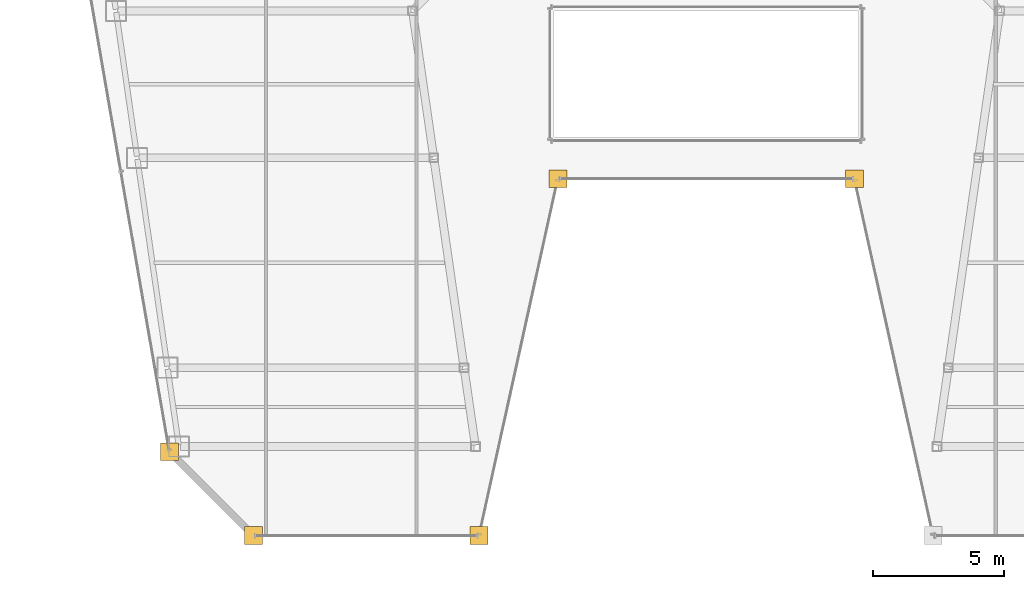
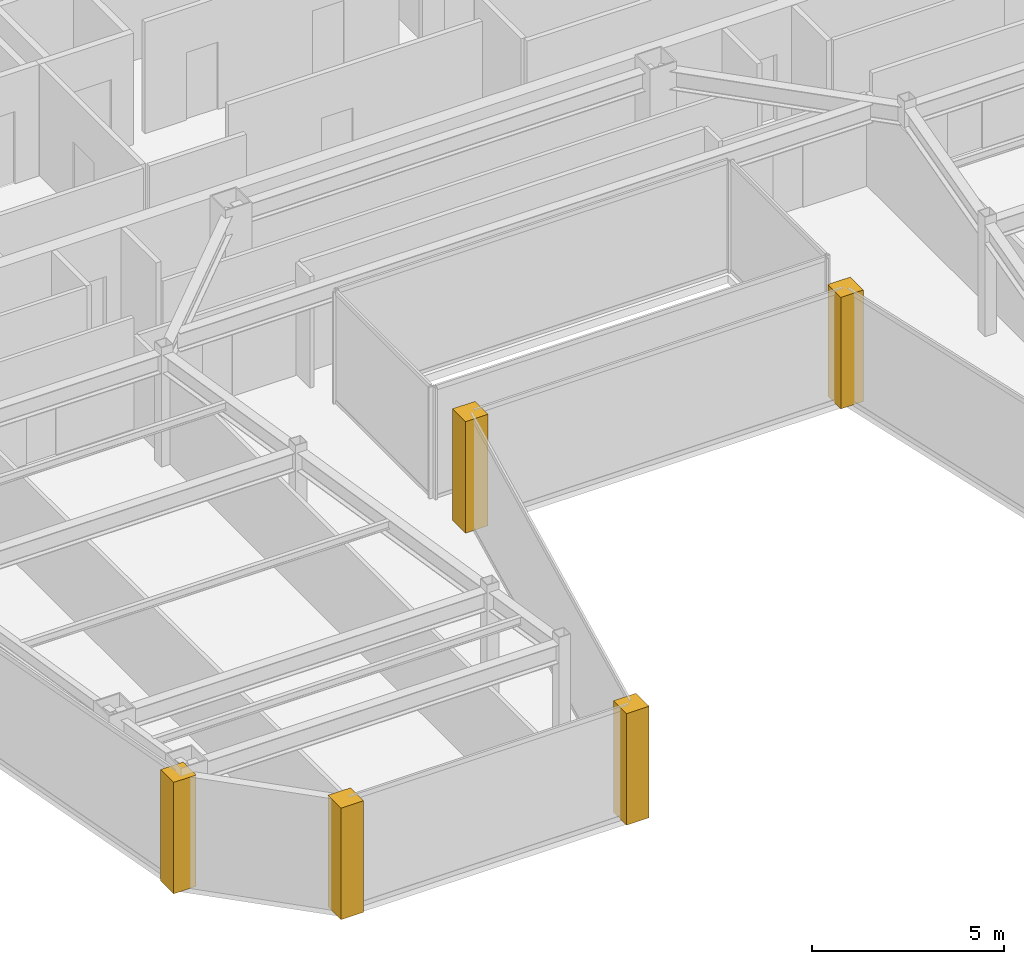
# One storey, part 29 of 32: 5 coverings.
"""IFC4 building model written with IfcOpenShell, lengths in metres."""

from ifc_helpers import new_model, si_unit, direction, frame, origin, place, context, subcontext, project, spatial, polyline, outline, extrude, material, layer, layer_set, type_object, element, save


model = new_model("IFC4")

# Units and contexts
model_context = context("Model", 3, precision=1e-05, world=origin(), true_north=direction((0.0, 1.0)))
body_context = subcontext(model_context, "Body", "Model", "MODEL_VIEW")
ifc_project = project(units=[si_unit("LENGTHUNIT", "METRE"), si_unit("AREAUNIT", "SQUARE_METRE"), si_unit("VOLUMEUNIT", "CUBIC_METRE"), si_unit("PLANEANGLEUNIT", "RADIAN"), si_unit("MASSUNIT", "GRAM", prefix="KILO")], contexts=[model_context])

# Site, building, storey
site_placement = place(None, origin())
site = spatial("IfcSite", under=ifc_project, at=site_placement, CompositionType="ELEMENT")
building_placement = place(site_placement, origin())
building = spatial("IfcBuilding", under=site, at=building_placement, Name="Saevonmaru Cultural Tower", CompositionType="ELEMENT")
storey_placement = place(building_placement, frame((0.0, 0.0, 245.800048828125)))
storey = spatial("IfcBuildingStorey", under=building, at=storey_placement, Name="L57", CompositionType="ELEMENT", Elevation=245.800048828125)

# Coverings
ifc_material = material(Name="Satin Bronze Anodised Aluminium", Category="aluminium")
ifc_layer = layer(ifc_material, 0.679931640625, Name="Satin Bronze Anodised Aluminium")
ifc_layer_set = layer_set([ifc_layer], Name="Satin Bronze Anodised Aluminium")
covering_type = type_object("IfcCoveringType", Name="CV-CORNER-CLAD", PredefinedType="CLADDING", material=ifc_layer_set)
covering_1_placement = place(storey_placement, origin())
element("IfcCovering", 1, at=covering_1_placement, inside=storey, type_object=covering_type, Name="L57 Tower Bronze Corner Cladding Pier 1", PredefinedType="CLADDING", context=body_context, shape_type="SweptSolid", body=[
    extrude(outline(polyline([(9.20703125, 20.4599609375), (9.886962890625, 20.4599609375), (9.886962890625, 21.139892578125), (9.20703125, 21.139892578125), (9.20703125, 20.4599609375)])), origin(), (0.0, 0.0, 1.0), 3.550048828125),
])
covering_2_placement = place(storey_placement, origin())
element("IfcCovering", 2, at=covering_2_placement, inside=storey, type_object=covering_type, Name="L57 Tower Bronze Corner Cladding Pier 2", PredefinedType="CLADDING", context=body_context, shape_type="SweptSolid", body=[
    extrude(outline(polyline([(12.406982421875, 17.260009765625), (13.0869140625, 17.260009765625), (13.0869140625, 17.93994140625), (12.406982421875, 17.93994140625), (12.406982421875, 17.260009765625)])), origin(), (0.0, 0.0, 1.0), 3.550048828125),
])
covering_3_placement = place(storey_placement, origin())
element("IfcCovering", 3, at=covering_3_placement, inside=storey, type_object=covering_type, Name="L57 Tower Bronze Corner Cladding Pier 3", PredefinedType="CLADDING", context=body_context, shape_type="SweptSolid", body=[
    extrude(outline(polyline([(21.007080078125, 17.260009765625), (21.68701171875, 17.260009765625), (21.68701171875, 17.93994140625), (21.007080078125, 17.93994140625), (21.007080078125, 17.260009765625)])), origin(), (0.0, 0.0, 1.0), 3.550048828125),
])
covering_4_placement = place(storey_placement, origin())
element("IfcCovering", 4, at=covering_4_placement, inside=storey, type_object=covering_type, Name="L57 Tower Bronze Corner Cladding Pier 4", PredefinedType="CLADDING", context=body_context, shape_type="SweptSolid", body=[
    extrude(outline(polyline([(24.007080078125, 30.860107421875), (24.68701171875, 30.860107421875), (24.68701171875, 31.5400390625), (24.007080078125, 31.5400390625), (24.007080078125, 30.860107421875)])), origin(), (0.0, 0.0, 1.0), 3.550048828125),
])
covering_5_placement = place(storey_placement, origin())
element("IfcCovering", 5, at=covering_5_placement, inside=storey, type_object=covering_type, Name="L57 Tower Bronze Corner Cladding Pier 5", PredefinedType="CLADDING", context=body_context, shape_type="SweptSolid", body=[
    extrude(outline(polyline([(35.31298828125, 30.860107421875), (35.992919921875, 30.860107421875), (35.992919921875, 31.5400390625), (35.31298828125, 31.5400390625), (35.31298828125, 30.860107421875)])), origin(), (0.0, 0.0, 1.0), 3.550048828125),
])

save(model, "model.ifc")
